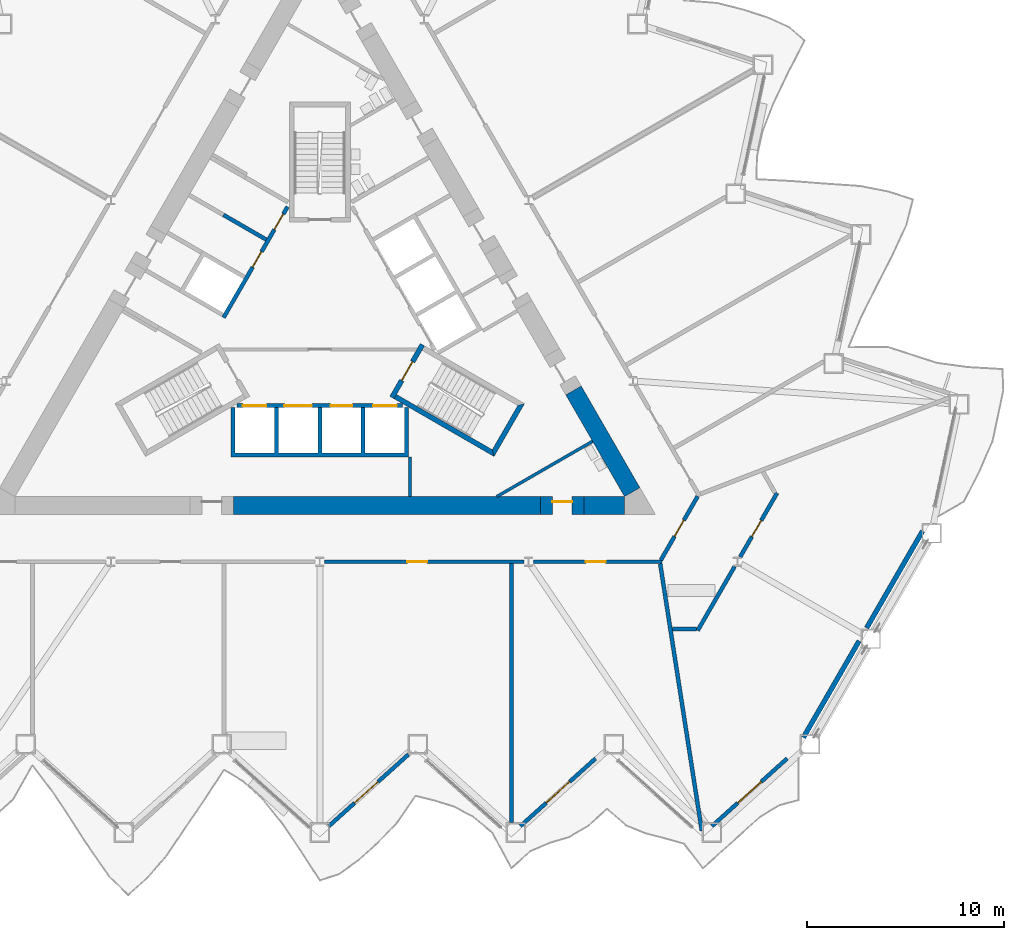
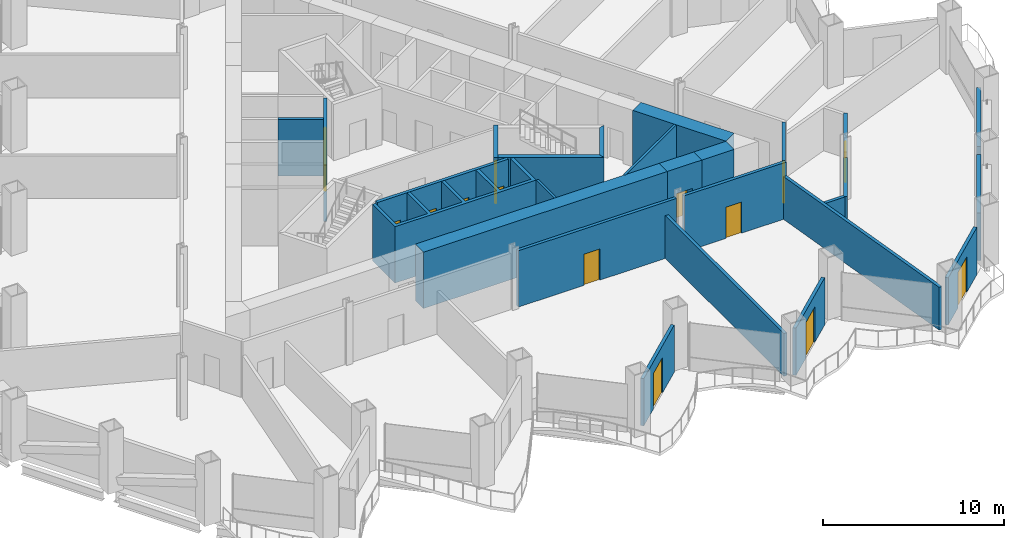
# One storey, part 10 of 21: 26 walls, 15 doors, 15 openings.
"""IFC4 building model written with IfcOpenShell, lengths in metres."""

from ifc_helpers import new_model, si_unit, direction, frame, frame_2d, origin, place, context, subcontext, project, spatial, polyline, rectangle, outline, extrude, material, layer, layer_set, type_object, element, fill, save


model = new_model("IFC4")

# Units and contexts
model_context = context("Model", 3, precision=1e-05, world=origin(), true_north=direction((0.0, 1.0)))
body_context = subcontext(model_context, "Body", "Model", "MODEL_VIEW")
ifc_project = project(units=[si_unit("LENGTHUNIT", "METRE"), si_unit("AREAUNIT", "SQUARE_METRE"), si_unit("VOLUMEUNIT", "CUBIC_METRE"), si_unit("PLANEANGLEUNIT", "RADIAN"), si_unit("MASSUNIT", "GRAM", prefix="KILO")], contexts=[model_context])

# Site, building, storey
site_placement = place(None, origin())
site = spatial("IfcSite", under=ifc_project, at=site_placement, CompositionType="ELEMENT")
building_placement = place(site_placement, origin())
building = spatial("IfcBuilding", under=site, at=building_placement, Name="Cormorant Prow Tower", CompositionType="ELEMENT")
storey_placement = place(building_placement, frame((0.0, 0.0, 42.60009765625)))
storey = spatial("IfcBuildingStorey", under=building, at=storey_placement, Name="L08", CompositionType="ELEMENT", Elevation=42.60009765625)

# Walls
ifc_material_1 = material(Name="Gypsum board partition")
ifc_layer_1 = layer(ifc_material_1, 0.14990234375)
ifc_layer_set_1 = layer_set([ifc_layer_1], Name="Gypsum board partition")
wall_type_1 = type_object("IfcWallType", Name="Core partition 150", PredefinedType="PARTITIONING", material=ifc_layer_set_1)
wall_1_placement = place(storey_placement, frame((4.574951171875, -6.906005859375, 0.0), z_axis=(0.0, 0.0, 1.0), x_axis=(0.0, -1.0, 0.0)))
element("IfcWall", 1, at=wall_1_placement, inside=storey, type_object=wall_type_1, Name="Service room partition", PredefinedType="PARTITIONING", context=body_context, shape_type="SweptSolid", body=[
    extrude(rectangle(XDim=2.009033203125, YDim=0.14990234375, at=frame_2d((1.00439453125, 0.0))), origin(), (0.0, 0.0, 1.0), 3.7998046875),
])
wall_2_placement = place(storey_placement, frame((13.822509765625, -6.111328125, 0.0), z_axis=(0.0, 0.0, 1.0), x_axis=(-0.866026802741, -0.499997576928, 0.0)))
element("IfcWall", 2, at=wall_2_placement, inside=storey, type_object=wall_type_1, Name="Service room partition", PredefinedType="PARTITIONING", context=body_context, shape_type="SweptSolid", body=[
    extrude(rectangle(XDim=5.607421875, YDim=0.14990234375, at=frame_2d((2.8037109375, 0.0))), origin(), (0.0, 0.0, 1.0), 3.7998046875),
])
ifc_material_2 = material(Name="Concrete 8000 psi", Category="concrete")
ifc_layer_2 = layer(ifc_material_2, 0.89990234375)
ifc_layer_set_2 = layer_set([ifc_layer_2], Name="Concrete 8000 psi")
wall_type_2 = type_object("IfcWallType", Name="Core shear wall 900", PredefinedType="SHEAR", material=ifc_layer_set_2)
wall_3_placement = place(storey_placement, frame((-4.37060546875, -9.364990234375, 0.0), z_axis=(0.0, 0.0, 1.0), x_axis=(1.0, 0.0, 0.0)))
element("IfcWall", 3, at=wall_3_placement, inside=storey, type_object=wall_type_2, Name="Core wall", PredefinedType="SHEAR", context=body_context, shape_type="SweptSolid", body=[
    extrude(rectangle(XDim=15.549560546875, YDim=0.89990234375, at=frame_2d((7.77490234375, 0.0))), origin(), (0.0, 0.0, 1.0), 3.7998046875),
])
wall_4_placement = place(storey_placement, frame((13.37890625, -9.364990234375, 0.0), z_axis=(0.0, 0.0, 1.0), x_axis=(1.0, 0.0, 0.0)))
element("IfcWall", 4, at=wall_4_placement, inside=storey, type_object=wall_type_2, Name="Core wall", PredefinedType="SHEAR", context=body_context, shape_type="SweptSolid", body=[
    extrude(rectangle(XDim=2.062255859375, YDim=0.89990234375, at=frame_2d((1.03125, 0.0))), origin(), (0.0, 0.0, 1.0), 3.7998046875),
])
wall_5_placement = place(storey_placement, frame((15.830810546875, -8.68994140625, 0.0), z_axis=(0.0, 0.0, 1.0), x_axis=(-0.499999419053, 0.866025739194, 0.0)))
element("IfcWall", 5, at=wall_5_placement, inside=storey, type_object=wall_type_2, Name="Core wall", PredefinedType="SHEAR", context=body_context, shape_type="SweptSolid", body=[
    extrude(rectangle(XDim=5.95166015625, YDim=0.89990234375, at=frame_2d((2.975830078125, 0.0))), origin(), (0.0, 0.0, 1.0), 3.7998046875),
])

# Wall, opening, door
wall_6_placement = place(storey_placement, frame((11.178955078125, -9.364990234375, 0.0), z_axis=(0.0, 0.0, 1.0), x_axis=(1.0, 0.0, 0.0)))
wall_6 = element("IfcWall", 6, at=wall_6_placement, inside=storey, type_object=wall_type_2, Name="Core wall door panel", PredefinedType="SHEAR", context=body_context, shape_type="SweptSolid", body=[
    extrude(rectangle(XDim=2.199951171875, YDim=0.89990234375, at=frame_2d((1.10009765625, 0.0))), origin(), (0.0, 0.0, 1.0), 3.7998046875),
])
opening_1_placement = place(wall_6_placement, frame((0.60009765625, 0.0, 0.0)))
opening_1 = element("IfcOpeningElement", 7, at=opening_1_placement, cuts=wall_6, Name="Opening L08-C15", PredefinedType="OPENING", context=body_context, shape_type="SweptSolid", body=[
    extrude(rectangle(XDim=1.0, YDim=2.10009765625, at=frame_2d((0.5, 1.050048828125))), frame((0.0, 0.4599609375, 0.0), z_axis=(0.0, -1.0, 0.0), x_axis=(1.0, 0.0, 0.0)), (0.0, 0.0, 1.0), 0.919921875),
])
ifc_material_3 = material(Name="Painted steel", Category="steel")
door_type_1 = type_object("IfcDoorType", Name="Service door 1000x2100", OperationType="NOTDEFINED", PredefinedType="DOOR", material=ifc_material_3)
door_1_placement = place(opening_1_placement, origin())
door_1 = element("IfcDoor", 8, at=door_1_placement, inside=storey, type_object=door_type_1, Name="Core door, Accessible WC L08", OperationType="SINGLE_SWING_LEFT", OverallHeight=2.10009765625, OverallWidth=1.0, PredefinedType="DOOR", context=body_context, shape_type="SweptSolid", body=[
    extrude(rectangle(XDim=1.0, YDim=2.10009765625, at=frame_2d((0.5, 1.050048828125))), frame((0.0, 0.205078125, 0.0), z_axis=(0.0, -1.0, 0.0), x_axis=(1.0, 0.0, 0.0)), (0.0, 0.0, 1.0), 0.050048828125),
])
fill(opening_1, door_1)

ifc_material_4 = material(Name="Gypsum board corridor wall")
ifc_layer_3 = layer(ifc_material_4, 0.199951171875)
ifc_layer_set_3 = layer_set([ifc_layer_3], Name="Gypsum board corridor wall")
wall_type_3 = type_object("IfcWallType", Name="Corridor wall 200", PredefinedType="PARTITIONING", material=ifc_layer_set_3)
wall_7_placement = place(storey_placement, frame((0.2421875, -12.215087890625, 0.0), z_axis=(0.0, 0.0, 1.0), x_axis=(1.0, 0.0, 0.0)))
wall_7 = element("IfcWall", 9, at=wall_7_placement, inside=storey, type_object=wall_type_3, Name="Corridor wall", PredefinedType="PARTITIONING", context=body_context, shape_type="SweptSolid", body=[
    extrude(rectangle(XDim=10.093994140625, YDim=0.199951171875, at=frame_2d((5.046875, 0.0))), origin(), (0.0, 0.0, 1.0), 3.7998046875),
])
opening_2_placement = place(wall_7_placement, frame((4.193115234375, 0.0, 0.0)))
opening_2 = element("IfcOpeningElement", 10, at=opening_2_placement, cuts=wall_7, Name="Opening L08-F03", PredefinedType="OPENING", context=body_context, shape_type="SweptSolid", body=[
    extrude(rectangle(XDim=1.0, YDim=2.10009765625, at=frame_2d((0.5, 1.050048828125))), frame((0.0, 0.10986328125, 0.0), z_axis=(0.0, -1.0, 0.0), x_axis=(1.0, 0.0, 0.0)), (0.0, 0.0, 1.0), 0.219970703125),
])
ifc_material_5 = material(Name="Timber door leaf", Category="wood")
door_type_2 = type_object("IfcDoorType", Name="Office door 1000x2100", OperationType="NOTDEFINED", PredefinedType="DOOR", material=ifc_material_5)
door_2_placement = place(opening_2_placement, origin())
door_2 = element("IfcDoor", 11, at=door_2_placement, inside=storey, type_object=door_type_2, Name="Tenant reception door", OperationType="SINGLE_SWING_RIGHT", OverallHeight=2.10009765625, OverallWidth=1.0, PredefinedType="DOOR", context=body_context, shape_type="SweptSolid", body=[
    extrude(rectangle(XDim=1.0, YDim=2.10009765625, at=frame_2d((0.5, 1.050048828125))), frame((0.0, 0.02490234375, 0.0), z_axis=(0.0, -1.0, 0.0), x_axis=(1.0, 0.0, 0.0)), (0.0, 0.0, 1.0), 0.050048828125),
])
fill(opening_2, door_2)

wall_8_placement = place(storey_placement, frame((10.82080078125, -12.215087890625, 0.0), z_axis=(0.0, 0.0, 1.0), x_axis=(1.0, 0.0, 0.0)))
wall_8 = element("IfcWall", 12, at=wall_8_placement, inside=storey, type_object=wall_type_3, Name="Corridor wall", PredefinedType="PARTITIONING", context=body_context, shape_type="SweptSolid", body=[
    extrude(rectangle(XDim=6.510009765625, YDim=0.199951171875, at=frame_2d((3.2548828125, 0.0))), origin(), (0.0, 0.0, 1.0), 3.7998046875),
])
opening_3_placement = place(wall_8_placement, frame((2.65478515625, 0.0, 0.0)))
opening_3 = element("IfcOpeningElement", 13, at=opening_3_placement, cuts=wall_8, Name="Opening L08-F04", PredefinedType="OPENING", context=body_context, shape_type="SweptSolid", body=[
    extrude(rectangle(XDim=1.0, YDim=2.10009765625, at=frame_2d((0.5, 1.050048828125))), frame((0.0, 0.10986328125, 0.0), z_axis=(0.0, -1.0, 0.0), x_axis=(1.0, 0.0, 0.0)), (0.0, 0.0, 1.0), 0.219970703125),
])
door_3_placement = place(opening_3_placement, origin())
door_3 = element("IfcDoor", 14, at=door_3_placement, inside=storey, type_object=door_type_2, Name="Tenant suite door", OperationType="SINGLE_SWING_LEFT", OverallHeight=2.10009765625, OverallWidth=1.0, PredefinedType="DOOR", context=body_context, shape_type="SweptSolid", body=[
    extrude(rectangle(XDim=1.0, YDim=2.10009765625, at=frame_2d((0.5, 1.050048828125))), frame((0.0, 0.02490234375, 0.0), z_axis=(0.0, -1.0, 0.0), x_axis=(1.0, 0.0, 0.0)), (0.0, 0.0, 1.0), 0.050048828125),
])
fill(opening_3, door_3)

wall_9_placement = place(storey_placement, frame((17.281005859375, -12.12841796875, 0.0), z_axis=(0.0, 0.0, 1.0), x_axis=(0.499958791762, 0.866049194065, 0.0)))
wall_9 = element("IfcWall", 15, at=wall_9_placement, inside=storey, type_object=wall_type_3, Name="Corridor wall", PredefinedType="PARTITIONING", context=body_context, shape_type="SweptSolid", body=[
    extrude(rectangle(XDim=3.725830078125, YDim=0.199951171875, at=frame_2d((1.86279296875, 0.0))), origin(), (0.0, 0.0, 1.0), 3.7998046875),
])
opening_4_placement = place(wall_9_placement, frame((1.387939453125, 0.0, 0.0)))
opening_4 = element("IfcOpeningElement", 16, at=opening_4_placement, cuts=wall_9, Name="Opening L08-F05", PredefinedType="OPENING", context=body_context, shape_type="SweptSolid", body=[
    extrude(rectangle(XDim=0.949951171875, YDim=2.10009765625, at=frame_2d((0.47509765625, 1.050048828125))), frame((0.0, 0.10986328125, 0.0), z_axis=(0.0, -1.0, 0.0), x_axis=(1.0, 0.0, 0.0)), (0.0, 0.0, 1.0), 0.219970703125),
])
ifc_material_6 = material(Name="Timber door leaf", Category="wood")
door_type_3 = type_object("IfcDoorType", Name="Store door 950x2100", OperationType="NOTDEFINED", PredefinedType="DOOR", material=ifc_material_6)
door_4_placement = place(opening_4_placement, origin())
door_4 = element("IfcDoor", 17, at=door_4_placement, inside=storey, type_object=door_type_3, Name="Tea point and pantry door", OperationType="SINGLE_SWING_LEFT", OverallHeight=2.10009765625, OverallWidth=0.949951171875, PredefinedType="DOOR", context=body_context, shape_type="SweptSolid", body=[
    extrude(rectangle(XDim=0.949951171875, YDim=2.10009765625, at=frame_2d((0.47509765625, 1.050048828125))), frame((0.0, 0.02490234375, 0.0), z_axis=(0.0, -1.0, 0.0), x_axis=(1.0, 0.0, 0.0)), (0.0, 0.0, 1.0), 0.050048828125),
])
fill(opening_4, door_4)

# Walls
ifc_material_7 = material(Name="Gypsum board demising wall")
ifc_layer_4 = layer(ifc_material_7, 0.199951171875)
ifc_layer_set_4 = layer_set([ifc_layer_4], Name="Gypsum board demising wall")
wall_type_4 = type_object("IfcWallType", Name="Demising wall 200", PredefinedType="PARTITIONING", material=ifc_layer_set_4)
wall_10_placement = place(storey_placement, frame((17.246337890625, -12.313720703125, 0.0), z_axis=(0.0, 0.0, 1.0), x_axis=(0.153927101979, -0.98808220674, 0.0)))
element("IfcWall", 18, at=wall_10_placement, inside=storey, type_object=wall_type_4, Name="Demising wall", PredefinedType="PARTITIONING", context=body_context, shape_type="SweptSolid", body=[
    extrude(rectangle(XDim=13.694091796875, YDim=0.199951171875, at=frame_2d((6.84716796875, 0.0))), origin(), (0.0, 0.0, 1.0), 2.88525390625),
])
wall_11_placement = place(storey_placement, frame((9.705322265625, -25.42138671875, 0.0), z_axis=(0.0, 0.0, 1.0), x_axis=(0.0, 1.0, 0.0)))
element("IfcWall", 19, at=wall_11_placement, inside=storey, type_object=wall_type_4, Name="Demising wall", PredefinedType="PARTITIONING", context=body_context, shape_type="SweptSolid", body=[
    extrude(rectangle(XDim=13.1064453125, YDim=0.199951171875, at=frame_2d((6.55322265625, 0.0))), origin(), (0.0, 0.0, 1.0), 2.88525390625),
])

# Wall, opening, door
wall_12_placement = place(storey_placement, frame((21.296875, -11.97265625, 0.0), z_axis=(0.0, 0.0, 1.0), x_axis=(0.500008291124, 0.866020616849, 0.0)))
wall_12 = element("IfcWall", 20, at=wall_12_placement, inside=storey, type_object=wall_type_4, Name="Demising wall", PredefinedType="PARTITIONING", context=body_context, shape_type="SweptSolid", body=[
    extrude(rectangle(XDim=3.74609375, YDim=0.199951171875, at=frame_2d((1.873046875, 0.0))), origin(), (0.0, 0.0, 1.0), 2.88525390625),
])
opening_5_placement = place(wall_12_placement, frame((1.189453125, 0.0, 0.0)))
opening_5 = element("IfcOpeningElement", 21, at=opening_5_placement, cuts=wall_12, Name="Opening L08-F06", PredefinedType="OPENING", context=body_context, shape_type="SweptSolid", body=[
    extrude(rectangle(XDim=0.949951171875, YDim=2.10009765625, at=frame_2d((0.47509765625, 1.050048828125))), frame((0.0, 0.10986328125, 0.0), z_axis=(0.0, -1.0, 0.0), x_axis=(1.0, 0.0, 0.0)), (0.0, 0.0, 1.0), 0.219970703125),
])
door_5_placement = place(opening_5_placement, origin())
door_5 = element("IfcDoor", 22, at=door_5_placement, inside=storey, type_object=door_type_3, Name="Print and copy room door", OperationType="SINGLE_SWING_LEFT", OverallHeight=2.10009765625, OverallWidth=0.949951171875, PredefinedType="DOOR", context=body_context, shape_type="SweptSolid", body=[
    extrude(rectangle(XDim=0.949951171875, YDim=2.10009765625, at=frame_2d((0.47509765625, 1.050048828125))), frame((0.0, 0.02490234375, 0.0), z_axis=(0.0, -1.0, 0.0), x_axis=(1.0, 0.0, 0.0)), (0.0, 0.0, 1.0), 0.050048828125),
])
fill(opening_5, door_5)

# Walls
wall_13_placement = place(storey_placement, frame((19.143798828125, -15.70166015625, 0.0), z_axis=(0.0, 0.0, 1.0), x_axis=(0.500028947347, 0.866008690381, 0.0)))
element("IfcWall", 23, at=wall_13_placement, inside=storey, type_object=wall_type_4, Name="Demising wall", PredefinedType="PARTITIONING", context=body_context, shape_type="SweptSolid", body=[
    extrude(rectangle(XDim=3.746337890625, YDim=0.199951171875, at=frame_2d((1.873046875, 0.0))), origin(), (0.0, 0.0, 1.0), 2.88525390625),
])
wall_14_placement = place(storey_placement, frame((17.860595703125, -15.614990234375, 0.0), z_axis=(0.0, 0.0, 1.0), x_axis=(1.0, 0.0, 0.0)))
element("IfcWall", 24, at=wall_14_placement, inside=storey, type_object=wall_type_4, Name="Demising wall", PredefinedType="PARTITIONING", context=body_context, shape_type="SweptSolid", body=[
    extrude(rectangle(XDim=1.2333984375, YDim=0.199951171875, at=frame_2d((0.61669921875, 0.0))), origin(), (0.0, 0.0, 1.0), 2.88525390625),
])

# Wall, openings, doors
ifc_material_8 = material(Name="Concrete 5000 psi", Category="concrete")
ifc_layer_5 = layer(ifc_material_8, 0.199951171875)
ifc_layer_set_5 = layer_set([ifc_layer_5], Name="Concrete 5000 psi")
wall_type_5 = type_object("IfcWallType", Name="Lift lobby wall 200", PredefinedType="SOLIDWALL", material=ifc_layer_set_5)
wall_15_placement = place(storey_placement, frame((-4.1865234375, -4.300048828125, 0.0), z_axis=(0.0, 0.0, 1.0), x_axis=(1.0, 0.0, 0.0)))
wall_15 = element("IfcWall", 25, at=wall_15_placement, inside=storey, type_object=wall_type_5, Name="Lift lobby wall, S block", PredefinedType="SOLIDWALL", context=body_context, shape_type="SweptSolid", body=[
    extrude(rectangle(XDim=8.373046875, YDim=0.199951171875, at=frame_2d((4.1865234375, 0.0))), origin(), (0.0, 0.0, 1.0), 3.7998046875),
])
opening_6_placement = place(wall_15_placement, frame((0.28662109375, 0.0, 0.0)))
opening_6 = element("IfcOpeningElement", 26, at=opening_6_placement, cuts=wall_15, Name="Opening L08-C01", PredefinedType="OPENING", context=body_context, shape_type="SweptSolid", body=[
    extrude(rectangle(XDim=1.199951171875, YDim=2.10009765625, at=frame_2d((0.60009765625, 1.050048828125))), frame((0.0, 0.10986328125, 0.0), z_axis=(0.0, -1.0, 0.0), x_axis=(1.0, 0.0, 0.0)), (0.0, 0.0, 1.0), 0.219970703125),
])
opening_7_placement = place(wall_15_placement, frame((2.38671875, 0.0, 0.0)))
opening_7 = element("IfcOpeningElement", 27, at=opening_7_placement, cuts=wall_15, Name="Opening L08-C02", PredefinedType="OPENING", context=body_context, shape_type="SweptSolid", body=[
    extrude(rectangle(XDim=1.39990234375, YDim=2.10009765625, at=frame_2d((0.699951171875, 1.050048828125))), frame((0.0, 0.10986328125, 0.0), z_axis=(0.0, -1.0, 0.0), x_axis=(1.0, 0.0, 0.0)), (0.0, 0.0, 1.0), 0.219970703125),
])
opening_8_placement = place(wall_15_placement, frame((4.736572265625, 0.0, 0.0)))
opening_8 = element("IfcOpeningElement", 28, at=opening_8_placement, cuts=wall_15, Name="Opening L08-C03", PredefinedType="OPENING", context=body_context, shape_type="SweptSolid", body=[
    extrude(rectangle(XDim=1.10009765625, YDim=2.10009765625, at=frame_2d((0.550048828125, 1.050048828125))), frame((0.0, 0.10986328125, 0.0), z_axis=(0.0, -1.0, 0.0), x_axis=(1.0, 0.0, 0.0)), (0.0, 0.0, 1.0), 0.219970703125),
])
opening_9_placement = place(wall_15_placement, frame((6.88671875, 0.0, 0.0)))
opening_9 = element("IfcOpeningElement", 29, at=opening_9_placement, cuts=wall_15, Name="Opening L08-C04", PredefinedType="OPENING", context=body_context, shape_type="SweptSolid", body=[
    extrude(rectangle(XDim=1.199951171875, YDim=2.10009765625, at=frame_2d((0.60009765625, 1.050048828125))), frame((0.0, 0.10986328125, 0.0), z_axis=(0.0, -1.0, 0.0), x_axis=(1.0, 0.0, 0.0)), (0.0, 0.0, 1.0), 0.219970703125),
])
ifc_material_9 = material(Name="Painted steel", Category="steel")
door_type_4 = type_object("IfcDoorType", Name="Firefighting lift landing door 1200x2100", OperationType="SLIDING_TO_LEFT", PredefinedType="DOOR", material=ifc_material_9)
door_6_placement = place(opening_6_placement, origin())
door_6 = element("IfcDoor", 30, at=door_6_placement, inside=storey, type_object=door_type_4, Name="Landing door FL1", OperationType="SLIDING_TO_LEFT", OverallHeight=2.10009765625, OverallWidth=1.199951171875, PredefinedType="DOOR", context=body_context, shape_type="SweptSolid", body=[
    extrude(rectangle(XDim=1.199951171875, YDim=2.10009765625, at=frame_2d((0.60009765625, 1.050048828125))), frame((0.0, 0.02490234375, 0.0), z_axis=(0.0, -1.0, 0.0), x_axis=(1.0, 0.0, 0.0)), (0.0, 0.0, 1.0), 0.050048828125),
])
fill(opening_6, door_6)
door_7_placement = place(opening_9_placement, origin())
door_7 = element("IfcDoor", 31, at=door_7_placement, inside=storey, type_object=door_type_4, Name="Landing door FL2", OperationType="SLIDING_TO_LEFT", OverallHeight=2.10009765625, OverallWidth=1.199951171875, PredefinedType="DOOR", context=body_context, shape_type="SweptSolid", body=[
    extrude(rectangle(XDim=1.199951171875, YDim=2.10009765625, at=frame_2d((0.60009765625, 1.050048828125))), frame((0.0, 0.02490234375, 0.0), z_axis=(0.0, -1.0, 0.0), x_axis=(1.0, 0.0, 0.0)), (0.0, 0.0, 1.0), 0.050048828125),
])
fill(opening_9, door_7)
ifc_material_10 = material(Name="Painted steel", Category="steel")
door_type_5 = type_object("IfcDoorType", Name="Lift landing door 1100x2100", OperationType="SLIDING_TO_LEFT", PredefinedType="DOOR", material=ifc_material_10)
door_8_placement = place(opening_8_placement, origin())
door_8 = element("IfcDoor", 32, at=door_8_placement, inside=storey, type_object=door_type_5, Name="Landing door LR1", OperationType="SLIDING_TO_LEFT", OverallHeight=2.10009765625, OverallWidth=1.10009765625, PredefinedType="DOOR", context=body_context, shape_type="SweptSolid", body=[
    extrude(rectangle(XDim=1.10009765625, YDim=2.10009765625, at=frame_2d((0.550048828125, 1.050048828125))), frame((0.0, 0.02490234375, 0.0), z_axis=(0.0, -1.0, 0.0), x_axis=(1.0, 0.0, 0.0)), (0.0, 0.0, 1.0), 0.050048828125),
])
fill(opening_8, door_8)
ifc_material_11 = material(Name="Painted steel", Category="steel")
door_type_6 = type_object("IfcDoorType", Name="Service lift landing door 1400x2100", OperationType="SLIDING_TO_LEFT", PredefinedType="DOOR", material=ifc_material_11)
door_9_placement = place(opening_7_placement, origin())
door_9 = element("IfcDoor", 33, at=door_9_placement, inside=storey, type_object=door_type_6, Name="Landing door SL1", OperationType="SLIDING_TO_LEFT", OverallHeight=2.10009765625, OverallWidth=1.39990234375, PredefinedType="DOOR", context=body_context, shape_type="SweptSolid", body=[
    extrude(rectangle(XDim=1.39990234375, YDim=2.10009765625, at=frame_2d((0.699951171875, 1.050048828125))), frame((0.0, 0.02490234375, 0.0), z_axis=(0.0, -1.0, 0.0), x_axis=(1.0, 0.0, 0.0)), (0.0, 0.0, 1.0), 0.050048828125),
])
fill(opening_7, door_9)

wall_16_placement = place(storey_placement, frame((-1.630615234375, 5.775634765625, 0.0), z_axis=(0.0, 0.0, 1.0), x_axis=(-0.499992876559, -0.866029516466, 0.0)))
wall_16 = element("IfcWall", 34, at=wall_16_placement, inside=storey, type_object=wall_type_5, Name="Lift lobby wall, WNW block", PredefinedType="SOLIDWALL", context=body_context, shape_type="SweptSolid", body=[
    extrude(rectangle(XDim=6.486328125, YDim=0.199951171875, at=frame_2d((3.2431640625, 0.0))), origin(), (0.0, 0.0, 1.0), 3.7998046875),
])
opening_10_placement = place(wall_16_placement, frame((0.4365234375, 0.0, 0.0)))
opening_10 = element("IfcOpeningElement", 35, at=opening_10_placement, cuts=wall_16, Name="Opening L08-C09", PredefinedType="OPENING", context=body_context, shape_type="SweptSolid", body=[
    extrude(rectangle(XDim=0.89990234375, YDim=2.10009765625, at=frame_2d((0.449951171875, 1.050048828125))), frame((0.0, 0.10986328125, 0.0), z_axis=(0.0, -1.0, 0.0), x_axis=(1.0, 0.0, 0.0)), (0.0, 0.0, 1.0), 0.219970703125),
])
opening_11_placement = place(wall_16_placement, frame((2.63671875, 0.0, 0.0)))
opening_11 = element("IfcOpeningElement", 36, at=opening_11_placement, cuts=wall_16, Name="Opening L08-C10", PredefinedType="OPENING", context=body_context, shape_type="SweptSolid", body=[
    extrude(rectangle(XDim=0.89990234375, YDim=2.10009765625, at=frame_2d((0.449951171875, 1.050048828125))), frame((0.0, 0.10986328125, 0.0), z_axis=(0.0, -1.0, 0.0), x_axis=(1.0, 0.0, 0.0)), (0.0, 0.0, 1.0), 0.219970703125),
])
ifc_material_12 = material(Name="Painted steel", Category="steel")
door_type_7 = type_object("IfcDoorType", Name="Service door 900x2100", OperationType="NOTDEFINED", PredefinedType="DOOR", material=ifc_material_12)
door_10_placement = place(opening_10_placement, origin())
door_10 = element("IfcDoor", 37, at=door_10_placement, inside=storey, type_object=door_type_7, Name="Service door, Refuse store", OperationType="SINGLE_SWING_LEFT", OverallHeight=2.10009765625, OverallWidth=0.89990234375, PredefinedType="DOOR", context=body_context, shape_type="SweptSolid", body=[
    extrude(rectangle(XDim=0.89990234375, YDim=2.10009765625, at=frame_2d((0.449951171875, 1.050048828125))), frame((0.0, 0.02490234375, 0.0), z_axis=(0.0, -1.0, 0.0), x_axis=(1.0, 0.0, 0.0)), (0.0, 0.0, 1.0), 0.050048828125),
])
fill(opening_10, door_10)
door_11_placement = place(opening_11_placement, origin())
door_11 = element("IfcDoor", 38, at=door_11_placement, inside=storey, type_object=door_type_7, Name="Service door, Pantry store", OperationType="SINGLE_SWING_RIGHT", OverallHeight=2.10009765625, OverallWidth=0.89990234375, PredefinedType="DOOR", context=body_context, shape_type="SweptSolid", body=[
    extrude(rectangle(XDim=0.89990234375, YDim=2.10009765625, at=frame_2d((0.449951171875, 1.050048828125))), frame((0.0, 0.02490234375, 0.0), z_axis=(0.0, -1.0, 0.0), x_axis=(1.0, 0.0, 0.0)), (0.0, 0.0, 1.0), 0.050048828125),
])
fill(opening_11, door_11)

# Walls
ifc_material_13 = material(Name="Concrete 8000 psi", Category="concrete")
ifc_layer_6 = layer(ifc_material_13, 0.199951171875)
ifc_layer_set_6 = layer_set([ifc_layer_6], Name="Concrete 8000 psi")
wall_type_6 = type_object("IfcWallType", Name="Lift shaft wall 200", PredefinedType="SHEAR", material=ifc_layer_set_6)
wall_17_placement = place(storey_placement, origin())
element("IfcWall", 39, at=wall_17_placement, inside=storey, type_object=wall_type_6, Name="Lift shaft walls, S block", PredefinedType="SHEAR", context=body_context, shape_type="SweptSolid", body=[
    extrude(outline(polyline([(4.5, -4.39990234375), (4.5, -6.906005859375), (-4.5, -6.906005859375), (-4.5, -4.39990234375), (-4.300048828125, -4.39990234375), (-4.300048828125, -6.699951171875), (-2.300048828125, -6.699951171875), (-2.300048828125, -4.39990234375), (-2.10009765625, -4.39990234375), (-2.10009765625, -6.699951171875), (-0.10009765625, -6.699951171875), (-0.10009765625, -4.39990234375), (0.10009765625, -4.39990234375), (0.10009765625, -6.699951171875), (2.10009765625, -6.699951171875), (2.10009765625, -4.39990234375), (2.300048828125, -4.39990234375), (2.300048828125, -6.699951171875), (4.300048828125, -6.699951171875), (4.300048828125, -4.39990234375), (4.5, -4.39990234375)])), origin(), (0.0, 0.0, 1.0), 3.7998046875),
])
wall_18_placement = place(storey_placement, origin())
element("IfcWall", 40, at=wall_18_placement, inside=storey, type_object=wall_type_6, Name="Lift shaft walls, WNW block", PredefinedType="SHEAR", context=body_context, shape_type="SweptSolid", body=[
    extrude(outline(polyline([(-2.760498046875, 4.018798828125), (-4.930908203125, 5.271728515625), (-4.830810546875, 5.44482421875), (-2.660400390625, 4.19189453125), (-2.760498046875, 4.018798828125)])), origin(), (0.0, 0.0, 1.0), 3.7998046875),
])
ifc_material_14 = material(Name="Concrete 8000 psi", Category="concrete")
ifc_layer_7 = layer(ifc_material_14, 0.25)
ifc_layer_set_7 = layer_set([ifc_layer_7], Name="Concrete 8000 psi")
wall_type_7 = type_object("IfcWallType", Name="Stair wall 250", PredefinedType="SHEAR", material=ifc_layer_set_7)
wall_19_placement = place(storey_placement, origin())
element("IfcWall", 41, at=wall_19_placement, inside=storey, type_object=wall_type_7, Name="Stair ST2 enclosure wall (flank)", PredefinedType="SHEAR", context=body_context, shape_type="SweptSolid", body=[
    extrude(outline(polyline([(3.76318359375, -3.95556640625), (8.82958984375, -6.880615234375), (8.738037109375, -6.5390625), (3.88818359375, -3.739013671875), (3.76318359375, -3.95556640625)])), origin(), (0.0, 0.0, 1.0), 3.7998046875),
])
wall_20_placement = place(storey_placement, origin())
element("IfcWall", 42, at=wall_20_placement, inside=storey, type_object=wall_type_7, Name="Stair ST2 enclosure wall (end)", PredefinedType="SHEAR", context=body_context, shape_type="SweptSolid", body=[
    extrude(outline(polyline([(8.82958984375, -6.880615234375), (10.37353515625, -4.206298828125), (10.031982421875, -4.2978515625), (8.738037109375, -6.5390625), (8.82958984375, -6.880615234375)])), origin(), (0.0, 0.0, 1.0), 3.7998046875),
])

# Wall, opening, door
wall_21_placement = place(storey_placement, frame((3.655029296875, -3.89306640625, 0.0), z_axis=(0.0, 0.0, 1.0), x_axis=(0.499982516597, 0.866035497597, 0.0)))
wall_21 = element("IfcWall", 43, at=wall_21_placement, inside=storey, type_object=wall_type_7, Name="Stair ST2 door wall", PredefinedType="SHEAR", context=body_context, shape_type="SweptSolid", body=[
    extrude(rectangle(XDim=3.087890625, YDim=0.25, at=frame_2d((1.5439453125, 0.0))), origin(), (0.0, 0.0, 1.0), 3.7998046875),
])
opening_12_placement = place(wall_21_placement, frame((0.993896484375, 0.0, 0.0)))
opening_12 = element("IfcOpeningElement", 44, at=opening_12_placement, cuts=wall_21, Name="Opening L08-C13", PredefinedType="OPENING", context=body_context, shape_type="SweptSolid", body=[
    extrude(rectangle(XDim=1.10009765625, YDim=2.10009765625, at=frame_2d((0.550048828125, 1.050048828125))), frame((0.0, 0.135009765625, 0.0), z_axis=(0.0, -1.0, 0.0), x_axis=(1.0, 0.0, 0.0)), (0.0, 0.0, 1.0), 0.27001953125),
])
ifc_material_15 = material(Name="Painted steel", Category="steel")
door_type_8 = type_object("IfcDoorType", Name="Stair door 1100x2100", OperationType="NOTDEFINED", PredefinedType="DOOR", material=ifc_material_15)
door_12_placement = place(opening_12_placement, origin())
door_12 = element("IfcDoor", 45, at=door_12_placement, inside=storey, type_object=door_type_8, Name="Stair ST2 door", OperationType="SINGLE_SWING_RIGHT", OverallHeight=2.10009765625, OverallWidth=1.10009765625, PredefinedType="DOOR", context=body_context, shape_type="SweptSolid", body=[
    extrude(rectangle(XDim=1.10009765625, YDim=2.10009765625, at=frame_2d((0.550048828125, 1.050048828125))), frame((0.0, 0.02490234375, 0.0), z_axis=(0.0, -1.0, 0.0), x_axis=(1.0, 0.0, 0.0)), (0.0, 0.0, 1.0), 0.050048828125),
])
fill(opening_12, door_12)

# Walls
ifc_material_16 = material(Name="Terracotta", Category="masonry")
ifc_layer_8 = layer(ifc_material_16, 0.25)
ifc_layer_set_8 = layer_set([ifc_layer_8], Name="Terracotta")
wall_type_8 = type_object("IfcWallType", Name="Terracotta bay wall 250", PredefinedType="SOLIDWALL", material=ifc_layer_set_8)
wall_22_placement = place(storey_placement, frame((24.506591796875, -21.115966796875, 0.0), z_axis=(0.0, 0.0, 1.0), x_axis=(0.49999579099, 0.866027833844, 0.0)))
element("IfcWall", 46, at=wall_22_placement, inside=storey, type_object=wall_type_8, Name="Terracotta bay wall ESE00", PredefinedType="SOLIDWALL", context=body_context, shape_type="SweptSolid", body=[
    extrude(rectangle(XDim=5.64404296875, YDim=0.25, at=frame_2d((2.822021484375, 0.0))), origin(), (0.0, 0.0, 1.0), 3.188720703125),
])
wall_23_placement = place(storey_placement, frame((27.71044921875, -15.56689453125, 0.0), z_axis=(0.0, 0.0, 1.0), x_axis=(0.499985074313, 0.866034020963, 0.0)))
element("IfcWall", 47, at=wall_23_placement, inside=storey, type_object=wall_type_8, Name="Terracotta bay wall ESE01", PredefinedType="SOLIDWALL", context=body_context, shape_type="SweptSolid", body=[
    extrude(rectangle(XDim=5.659912109375, YDim=0.25, at=frame_2d((2.830078125, 0.0))), origin(), (0.0, 0.0, 1.0), 3.188720703125),
])

# Wall, opening, door
ifc_material_17 = material(Name="Terracotta", Category="masonry")
ifc_layer_9 = layer(ifc_material_17, 0.199951171875)
ifc_layer_set_9 = layer_set([ifc_layer_9], Name="Terracotta")
wall_type_9 = type_object("IfcWallType", Name="Terracotta jamb wall 200", PredefinedType="SOLIDWALL", material=ifc_layer_set_9)
wall_24_placement = place(storey_placement, frame((0.45556640625, -25.61181640625, 0.0), z_axis=(0.0, 0.0, 1.0), x_axis=(0.743166762424, 0.669106242108, 0.0)))
wall_24 = element("IfcWall", 48, at=wall_24_placement, inside=storey, type_object=wall_type_9, Name="Terracotta jamb wall S05", PredefinedType="SOLIDWALL", context=body_context, shape_type="SweptSolid", body=[
    extrude(rectangle(XDim=5.4326171875, YDim=0.199951171875, at=frame_2d((2.71630859375, 0.0))), origin(), (0.0, 0.0, 1.0), 3.188720703125),
])
opening_13_placement = place(wall_24_placement, frame((1.761962890625, 0.0, 0.0)))
opening_13 = element("IfcOpeningElement", 49, at=opening_13_placement, cuts=wall_24, Name="Opening ED08.03", PredefinedType="OPENING", context=body_context, shape_type="SweptSolid", body=[
    extrude(rectangle(XDim=1.60009765625, YDim=2.39990234375, at=frame_2d((0.800048828125, 1.199951171875))), frame((0.0, 0.10986328125, 0.0), z_axis=(0.0, -1.0, 0.0), x_axis=(1.0, 0.0, 0.0)), (0.0, 0.0, 1.0), 0.219970703125),
])
ifc_material_18 = material(Name="Aluminium 6063-T6", Category="aluminium")
door_type_9 = type_object("IfcDoorType", Name="Balcony door 1600x2400", OperationType="DOUBLE_DOOR_SINGLE_SWING", PredefinedType="DOOR", material=ifc_material_18)
door_13_placement = place(opening_13_placement, origin())
door_13 = element("IfcDoor", 50, at=door_13_placement, inside=storey, type_object=door_type_9, Name="Balcony door S05 ED08.03", OperationType="DOUBLE_DOOR_SINGLE_SWING", OverallHeight=2.39990234375, OverallWidth=1.60009765625, PredefinedType="DOOR", context=body_context, shape_type="SweptSolid", body=[
    extrude(rectangle(XDim=1.60009765625, YDim=2.39990234375, at=frame_2d((0.800048828125, 1.199951171875))), frame((0.0, 0.02490234375, 0.0), z_axis=(0.0, -1.0, 0.0), x_axis=(1.0, 0.0, 0.0)), (0.0, 0.0, 1.0), 0.050048828125),
])
fill(opening_13, door_13)

wall_25_placement = place(storey_placement, frame((10.160888671875, -25.61181640625, 0.0), z_axis=(0.0, 0.0, 1.0), x_axis=(0.743159085791, 0.669114768337, 0.0)))
wall_25 = element("IfcWall", 51, at=wall_25_placement, inside=storey, type_object=wall_type_9, Name="Terracotta jamb wall S07", PredefinedType="SOLIDWALL", context=body_context, shape_type="SweptSolid", body=[
    extrude(rectangle(XDim=5.123779296875, YDim=0.199951171875, at=frame_2d((2.56201171875, 0.0))), origin(), (0.0, 0.0, 1.0), 3.188720703125),
])
opening_14_placement = place(wall_25_placement, frame((1.761962890625, 0.0, 0.0)))
opening_14 = element("IfcOpeningElement", 52, at=opening_14_placement, cuts=wall_25, Name="Opening ED08.04", PredefinedType="OPENING", context=body_context, shape_type="SweptSolid", body=[
    extrude(rectangle(XDim=1.60009765625, YDim=2.39990234375, at=frame_2d((0.800048828125, 1.199951171875))), frame((0.0, 0.10986328125, 0.0), z_axis=(0.0, -1.0, 0.0), x_axis=(1.0, 0.0, 0.0)), (0.0, 0.0, 1.0), 0.219970703125),
])
door_14_placement = place(opening_14_placement, origin())
door_14 = element("IfcDoor", 53, at=door_14_placement, inside=storey, type_object=door_type_9, Name="Balcony door S07 ED08.04", OperationType="DOUBLE_DOOR_SINGLE_SWING", OverallHeight=2.39990234375, OverallWidth=1.60009765625, PredefinedType="DOOR", context=body_context, shape_type="SweptSolid", body=[
    extrude(rectangle(XDim=1.60009765625, YDim=2.39990234375, at=frame_2d((0.800048828125, 1.199951171875))), frame((0.0, 0.02490234375, 0.0), z_axis=(0.0, -1.0, 0.0), x_axis=(1.0, 0.0, 0.0)), (0.0, 0.0, 1.0), 0.050048828125),
])
fill(opening_14, door_14)

wall_26_placement = place(storey_placement, frame((19.8662109375, -25.61181640625, 0.0), z_axis=(0.0, 0.0, 1.0), x_axis=(0.743159085791, 0.669114768337, 0.0)))
wall_26 = element("IfcWall", 54, at=wall_26_placement, inside=storey, type_object=wall_type_9, Name="Terracotta jamb wall S09", PredefinedType="SOLIDWALL", context=body_context, shape_type="SweptSolid", body=[
    extrude(rectangle(XDim=5.123779296875, YDim=0.199951171875, at=frame_2d((2.56201171875, 0.0))), origin(), (0.0, 0.0, 1.0), 3.188720703125),
])
opening_15_placement = place(wall_26_placement, frame((1.761962890625, 0.0, 0.0)))
opening_15 = element("IfcOpeningElement", 55, at=opening_15_placement, cuts=wall_26, Name="Opening ED08.05", PredefinedType="OPENING", context=body_context, shape_type="SweptSolid", body=[
    extrude(rectangle(XDim=1.60009765625, YDim=2.39990234375, at=frame_2d((0.800048828125, 1.199951171875))), frame((0.0, 0.10986328125, 0.0), z_axis=(0.0, -1.0, 0.0), x_axis=(1.0, 0.0, 0.0)), (0.0, 0.0, 1.0), 0.219970703125),
])
door_15_placement = place(opening_15_placement, origin())
door_15 = element("IfcDoor", 56, at=door_15_placement, inside=storey, type_object=door_type_9, Name="Balcony door S09 ED08.05", OperationType="DOUBLE_DOOR_SINGLE_SWING", OverallHeight=2.39990234375, OverallWidth=1.60009765625, PredefinedType="DOOR", context=body_context, shape_type="SweptSolid", body=[
    extrude(rectangle(XDim=1.60009765625, YDim=2.39990234375, at=frame_2d((0.800048828125, 1.199951171875))), frame((0.0, 0.02490234375, 0.0), z_axis=(0.0, -1.0, 0.0), x_axis=(1.0, 0.0, 0.0)), (0.0, 0.0, 1.0), 0.050048828125),
])
fill(opening_15, door_15)

save(model, "model.ifc")
